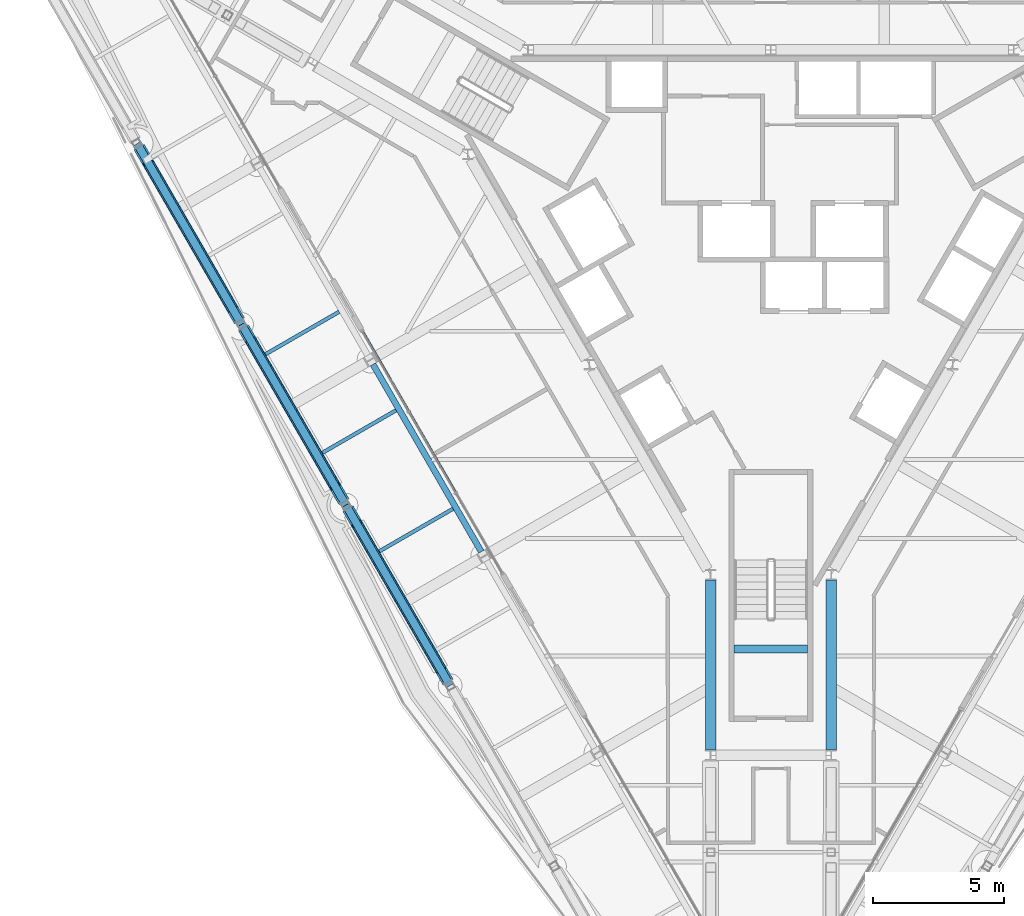
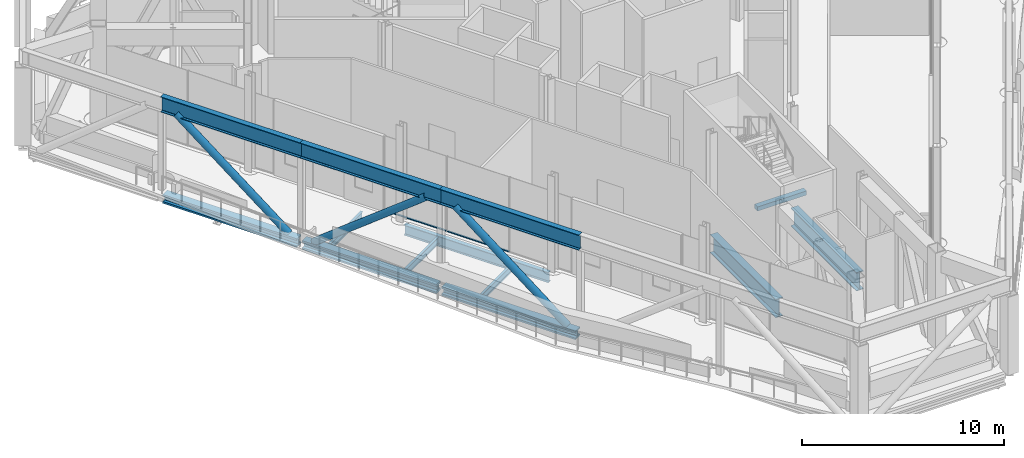
# One storey, part 6 of 24: 13 beams, 5 members, 1 element without a shape of its own.
"""IFC4 building model written with IfcOpenShell, lengths in metres."""

from ifc_helpers import new_model, si_unit, direction, frame, origin, origin_2d, place, context, subcontext, project, spatial, rectangle, hollow_circle, i_section, extrude, material, material_profile, profile_set, type_object, element, aggregate, save


model = new_model("IFC4")

# Units and contexts
model_context = context("Model", 3, precision=1e-05, world=origin(), true_north=direction((0.0, 1.0)))
body_context = subcontext(model_context, "Body", "Model", "MODEL_VIEW")
ifc_project = project(units=[si_unit("LENGTHUNIT", "METRE"), si_unit("AREAUNIT", "SQUARE_METRE"), si_unit("VOLUMEUNIT", "CUBIC_METRE"), si_unit("PLANEANGLEUNIT", "RADIAN"), si_unit("MASSUNIT", "GRAM", prefix="KILO")], contexts=[model_context])

# Site, building, storey
site_placement = place(None, origin())
site = spatial("IfcSite", under=ifc_project, at=site_placement, CompositionType="ELEMENT")
building_placement = place(site_placement, origin())
building = spatial("IfcBuilding", under=site, at=building_placement, Name="Verrane Prism Tower", CompositionType="ELEMENT")
storey_placement = place(building_placement, frame((0.0, 0.0, 200.60009765625)))
storey = spatial("IfcBuildingStorey", under=building, at=storey_placement, Name="L50", CompositionType="ELEMENT", Elevation=200.60009765625)

# Beams
ifc_material_1 = material(Name="Steel A992", Category="steel")
ifc_material_profile_1 = material_profile(ifc_material_1, i_section(OverallWidth=0.44189453125, OverallDepth=0.53076171875, WebThickness=0.06591796875, FlangeThickness=0.105712890625, FilletRadius=0.01513671875, at=origin_2d()), Name="W14x605")
ifc_profile_set_1 = profile_set([ifc_material_profile_1], Name="Steel A992")
beam_type_1 = type_object("IfcBeamType", Name="Belt truss chord W14x605", PredefinedType="BEAM", material=ifc_profile_set_1)
for number, where, z_axis, x_axis, name in (
    (1, (-24.083740234375, 4.2880859375, -0.4248046875), (0.500208494112, -0.865904996185, 0.0), (0.865904996185, 0.500208494112, 0.0), "Belt truss chord L50"),
    (2, (-20.103759765625, -2.60205078125, -0.4248046875), (0.500208494112, -0.865904996185, 0.0), (0.865904996185, 0.500208494112, 0.0), "Belt truss chord L50"),
):
    element("IfcBeam", number, at=place(storey_placement, frame(where, z_axis=z_axis, x_axis=x_axis)), inside=storey, type_object=beam_type_1, Name=name, PredefinedType="BEAM", context=body_context, shape_type="SweptSolid", body=[
        extrude(i_section(OverallWidth=0.44189453125, OverallDepth=0.53076171875, WebThickness=0.06591796875, FlangeThickness=0.105712890625, FilletRadius=0.01513671875, at=origin_2d()), origin(), (0.0, 0.0, 1.0), 7.652099609375),
    ])
beam_1_placement = place(storey_placement, frame((-16.123779296875, -9.491943359375, -0.4248046875), z_axis=(0.499793471116, -0.866144610461, 0.0), x_axis=(0.866144610461, 0.499793471116, 0.0)))
element("IfcBeam", 3, at=beam_1_placement, inside=storey, type_object=beam_type_1, Name="Belt truss chord L50", PredefinedType="BEAM", context=body_context, shape_type="SweptSolid", body=[
    extrude(i_section(OverallWidth=0.44189453125, OverallDepth=0.53076171875, WebThickness=0.06591796875, FlangeThickness=0.105712890625, FilletRadius=0.01513671875, at=origin_2d()), origin(), (0.0, 0.0, 1.0), 7.638427734375),
])
ifc_material_2 = material(Name="Steel A992", Category="steel")
ifc_material_profile_2 = material_profile(ifc_material_2, i_section(OverallWidth=0.307373046875, OverallDepth=0.927001953125, WebThickness=0.01953125, FlangeThickness=0.031982421875, FilletRadius=0.01904296875, at=origin_2d()), Name="W36x194")
ifc_profile_set_2 = profile_set([ifc_material_profile_2], Name="Steel A992")
beam_type_2 = type_object("IfcBeamType", Name="Belt truss chord W36x194", PredefinedType="BEAM", material=ifc_profile_set_2)
beam_2_placement = place(storey_placement, frame((-24.159912109375, 4.419921875, 5.176513671875), z_axis=(0.500197848917, -0.865911145522, 0.0), x_axis=(0.865911145522, 0.500197848917, 0.0)))
element("IfcBeam", 4, at=beam_2_placement, inside=storey, type_object=beam_type_2, Name="Belt truss chord L50", PredefinedType="BEAM", context=body_context, shape_type="SweptSolid", body=[
    extrude(i_section(OverallWidth=0.307373046875, OverallDepth=0.927001953125, WebThickness=0.01953125, FlangeThickness=0.031982421875, FilletRadius=0.01904296875, at=origin_2d()), origin(), (0.0, 0.0, 1.0), 7.956787109375),
])
beam_3_placement = place(storey_placement, frame((-20.179931640625, -2.469970703125, 5.176513671875), z_axis=(0.500184559484, -0.865918822092, 0.0), x_axis=(0.865918822092, 0.500184559484, 0.0)))
element("IfcBeam", 5, at=beam_3_placement, inside=storey, type_object=beam_type_2, Name="Belt truss chord L50", PredefinedType="BEAM", context=body_context, shape_type="SweptSolid", body=[
    extrude(i_section(OverallWidth=0.307373046875, OverallDepth=0.927001953125, WebThickness=0.01953125, FlangeThickness=0.031982421875, FilletRadius=0.01904296875, at=origin_2d()), origin(), (0.0, 0.0, 1.0), 7.95703125),
])
beam_4_placement = place(storey_placement, frame((-16.199951171875, -9.360107421875, 5.176513671875), z_axis=(0.499798728781, -0.866141576597, 0.0), x_axis=(0.866141576597, 0.499798728781, 0.0)))
element("IfcBeam", 6, at=beam_4_placement, inside=storey, type_object=beam_type_2, Name="Belt truss chord L50", PredefinedType="BEAM", context=body_context, shape_type="SweptSolid", body=[
    extrude(i_section(OverallWidth=0.307373046875, OverallDepth=0.927001953125, WebThickness=0.01953125, FlangeThickness=0.031982421875, FilletRadius=0.01904296875, at=origin_2d()), origin(), (0.0, 0.0, 1.0), 7.943115234375),
])

# Members
ifc_material_3 = material(Name="Steel A500 Grade C", Category="steel")
ifc_material_profile_3 = material_profile(ifc_material_3, hollow_circle(Radius=0.203125, WallThickness=0.0126953125, at=origin_2d()), Name="HSS16.000x0.500")
ifc_profile_set_3 = profile_set([ifc_material_profile_3], Name="Steel A500 Grade C")
member_type_1 = type_object("IfcMemberType", Name="Belt truss diagonal HSS16.000x0.500", PredefinedType="BRACE", material=ifc_profile_set_3)
member_1_placement = place(storey_placement, frame((-20.538818359375, -1.84912109375, -0.1591796875), z_axis=(-0.394913088803, 0.683676760173, 0.613701670107), x_axis=(-0.865920014639, -0.500182494943, 0.0)))
element("IfcMember", 7, at=member_1_placement, inside=storey, type_object=member_type_1, Name="Belt truss diagonal L50", PredefinedType="BRACE", context=body_context, shape_type="SweptSolid", body=[
    extrude(hollow_circle(Radius=0.203125, WallThickness=0.0126953125, at=origin_2d()), origin(), (0.0, 0.0, 1.0), 8.125732421875),
])
member_2_placement = place(storey_placement, frame((-19.8212890625, -3.0908203125, -0.1591796875), z_axis=(0.394904976905, -0.683692761294, 0.613689064079), x_axis=(0.865929534628, 0.500166013498, 0.0)))
element("IfcMember", 8, at=member_2_placement, inside=storey, type_object=member_type_1, Name="Belt truss diagonal L50", PredefinedType="BRACE", context=body_context, shape_type="SweptSolid", body=[
    extrude(hollow_circle(Radius=0.203125, WallThickness=0.0126953125, at=origin_2d()), origin(), (0.0, 0.0, 1.0), 8.1259765625),
])
member_3_placement = place(storey_placement, frame((-12.588134765625, -15.619384765625, -0.1591796875), z_axis=(-0.394324771858, 0.683367927917, 0.6144235098), x_axis=(-0.86614496066, -0.499792864218, 0.0)))
element("IfcMember", 9, at=member_3_placement, inside=storey, type_object=member_type_1, Name="Belt truss diagonal L50", PredefinedType="BRACE", context=body_context, shape_type="SweptSolid", body=[
    extrude(hollow_circle(Radius=0.203125, WallThickness=0.0126953125, at=origin_2d()), origin(), (0.0, 0.0, 1.0), 8.1162109375),
])

# Beams
ifc_material_4 = material(Name="Steel A992", Category="steel")
ifc_material_profile_4 = material_profile(ifc_material_4, i_section(OverallWidth=0.140380859375, OverallDepth=0.40380859375, WebThickness=0.007080078125, FlangeThickness=0.01123046875, FilletRadius=0.01025390625, at=origin_2d()), Name="W16x31")
ifc_profile_set_4 = profile_set([ifc_material_profile_4], Name="Steel A992")
beam_type_3 = type_object("IfcBeamType", Name="Floor beam W16x31", PredefinedType="BEAM", material=ifc_profile_set_4)
beam_5_placement = place(storey_placement, frame((-14.927978515625, -11.122314453125, -0.362060546875), z_axis=(0.866025149481, 0.500000440466, 0.0), x_axis=(-0.500000440466, 0.866025149481, 0.0)))
element("IfcBeam", 10, at=beam_5_placement, inside=storey, type_object=beam_type_3, Name="Floor beam L50", PredefinedType="BEAM", context=body_context, shape_type="SweptSolid", body=[
    extrude(i_section(OverallWidth=0.140380859375, OverallDepth=0.40380859375, WebThickness=0.007080078125, FlangeThickness=0.01123046875, FilletRadius=0.01025390625, at=origin_2d()), origin(), (0.0, 0.0, 1.0), 3.24365234375),
])
beam_6_placement = place(storey_placement, frame((-17.096923828125, -7.365478515625, -0.362060546875), z_axis=(0.866018751313, 0.500011522242, 0.0), x_axis=(-0.500011522242, 0.866018751313, 0.0)))
element("IfcBeam", 11, at=beam_6_placement, inside=storey, type_object=beam_type_3, Name="Floor beam L50", PredefinedType="BEAM", context=body_context, shape_type="SweptSolid", body=[
    extrude(i_section(OverallWidth=0.140380859375, OverallDepth=0.40380859375, WebThickness=0.007080078125, FlangeThickness=0.01123046875, FilletRadius=0.01025390625, at=origin_2d()), origin(), (0.0, 0.0, 1.0), 3.2412109375),
])
beam_7_placement = place(storey_placement, frame((-19.266845703125, -3.609130859375, -0.362060546875), z_axis=(0.866042624125, 0.49997017231, 0.0), x_axis=(-0.49997017231, 0.866042624125, 0.0)))
element("IfcBeam", 12, at=beam_7_placement, inside=storey, type_object=beam_type_3, Name="Floor beam L50", PredefinedType="BEAM", context=body_context, shape_type="SweptSolid", body=[
    extrude(i_section(OverallWidth=0.140380859375, OverallDepth=0.40380859375, WebThickness=0.007080078125, FlangeThickness=0.01123046875, FilletRadius=0.01025390625, at=origin_2d()), origin(), (0.0, 0.0, 1.0), 3.241943359375),
])
ifc_material_5 = material(Name="Steel A992", Category="steel")
ifc_material_profile_5 = material_profile(ifc_material_5, i_section(OverallWidth=0.23046875, OverallDepth=0.6171875, WebThickness=0.01318359375, FlangeThickness=0.022216796875, FilletRadius=0.012939453125, at=origin_2d()), Name="W24x94")
ifc_profile_set_5 = profile_set([ifc_material_profile_5], Name="Steel A992")
beam_type_4 = type_object("IfcBeamType", Name="Spandrel beam W24x94", PredefinedType="SPANDREL", material=ifc_profile_set_5)
beam_8_placement = place(storey_placement, frame((-15.169677734375, -3.99365234375, -0.46875), z_axis=(0.500511266251, -0.865730022788, 0.0), x_axis=(0.865730022788, 0.500511266251, 0.0)))
element("IfcBeam", 13, at=beam_8_placement, inside=storey, type_object=beam_type_4, Name="Spandrel beam L50", PredefinedType="SPANDREL", context=body_context, shape_type="SweptSolid", body=[
    extrude(i_section(OverallWidth=0.23046875, OverallDepth=0.6171875, WebThickness=0.01318359375, FlangeThickness=0.022216796875, FilletRadius=0.012939453125, at=origin_2d()), origin(), (0.0, 0.0, 1.0), 8.250244140625),
])
ifc_material_6 = material(Name="Concrete C40/50", Category="concrete")
ifc_material_profile_6 = material_profile(ifc_material_6, rectangle(XDim=0.300048828125, YDim=0.25, at=origin_2d()), Name="RC 300x250")
ifc_profile_set_6 = profile_set([ifc_material_profile_6], Name="Concrete C40/50")
beam_type_5 = type_object("IfcBeamType", Name="Stair landing trimmer beam 300x250 concrete C40/50", PredefinedType="BEAM", material=ifc_profile_set_6)
beam_9_placement = place(storey_placement, frame((1.39990234375, -14.85009765625, 2.574951171875), z_axis=(-1.0, 0.0, 0.0), x_axis=(0.0, -1.0, 0.0)))
element("IfcBeam", 14, at=beam_9_placement, inside=storey, type_object=beam_type_5, Name="Stair 3 landing trimmer beam", PredefinedType="BEAM", context=body_context, shape_type="SweptSolid", body=[
    extrude(rectangle(XDim=0.300048828125, YDim=0.25, at=origin_2d()), origin(), (0.0, 0.0, 1.0), 2.7998046875),
])
ifc_material_7 = material(Name="Steel A992", Category="steel")
ifc_material_profile_7 = material_profile(ifc_material_7, i_section(OverallWidth=0.40380859375, OverallDepth=1.11767578125, WebThickness=0.026123046875, FlangeThickness=0.044921875, FilletRadius=0.02001953125, at=origin_2d()), Name="W44x335")
ifc_profile_set_7 = profile_set([ifc_material_profile_7], Name="Steel A992")
beam_type_6 = type_object("IfcBeamType", Name="Transfer girder W44x335", PredefinedType="BEAM", material=ifc_profile_set_7)
for number, where, z_axis, x_axis, name in (
    (15, (-2.300048828125, -12.219482421875, -0.808837890625), (0.0, -1.0, 0.0), (1.0, 0.0, 0.0), "Transfer girder L50"),
    (16, (2.300048828125, -18.691650390625, -0.808837890625), (0.0, 1.0, 0.0), (-1.0, 0.0, 0.0), "Transfer girder L50"),
):
    element("IfcBeam", number, at=place(storey_placement, frame(where, z_axis=z_axis, x_axis=x_axis)), inside=storey, type_object=beam_type_6, Name=name, PredefinedType="BEAM", context=body_context, shape_type="SweptSolid", body=[
        extrude(i_section(OverallWidth=0.40380859375, OverallDepth=1.11767578125, WebThickness=0.026123046875, FlangeThickness=0.044921875, FilletRadius=0.02001953125, at=origin_2d()), origin(), (0.0, 0.0, 1.0), 6.47216796875),
    ])

# Curtain wall, members
ifc_material_8 = material(Name="Aluminium framed insulated glazing", Category="aluminium")
curtain_wall_type = type_object("IfcCurtainWallType", Name="Curtain wall CW-C 4200 module", PredefinedType="NOTDEFINED", material=ifc_material_8)
curtain_wall_placement = place(storey_placement, origin())
curtain_wall = element("IfcCurtainWall", 17, at=curtain_wall_placement, inside=storey, type_object=curtain_wall_type, Name="Refuge lounge glazing south-west face L50 2", PredefinedType="NOTDEFINED")
ifc_material_9 = material(Name="Aluminium alloy 6063-T6", Category="aluminium")
ifc_material_profile_8 = material_profile(ifc_material_9, rectangle(XDim=0.10009765625, YDim=0.050048828125, at=origin_2d()), Name="Transom 50x100 aluminium")
ifc_profile_set_8 = profile_set([ifc_material_profile_8], Name="Aluminium alloy 6063-T6")
member_type_2 = type_object("IfcMemberType", Name="Transom 50x100 aluminium", PredefinedType="USERDEFINED", material=ifc_profile_set_8)
member_4_placement = place(storey_placement, frame((-15.567626953125, -2.73779296875, 0.02490234375), z_axis=(0.499986001567, -0.866033485632, 0.0), x_axis=(0.866033485632, 0.499986001567, 0.0)))
member_4 = element("IfcMember", 18, at=member_4_placement, type_object=member_type_2, Name="CW50.4.2 transom 1", ObjectType="TRANSOM", PredefinedType="USERDEFINED", context=body_context, shape_type="SweptSolid", body=[
    extrude(rectangle(XDim=0.10009765625, YDim=0.050048828125, at=origin_2d()), origin(), (0.0, 0.0, 1.0), 3.50146484375),
])
member_5_placement = place(storey_placement, frame((-13.7919921875, -5.813720703125, 0.02490234375), z_axis=(0.500048052583, -0.865997658835, 0.0), x_axis=(0.865997658835, 0.500048052583, 0.0)))
member_5 = element("IfcMember", 19, at=member_5_placement, type_object=member_type_2, Name="CW50.4.2 transom 2", ObjectType="TRANSOM", PredefinedType="USERDEFINED", context=body_context, shape_type="SweptSolid", body=[
    extrude(rectangle(XDim=0.10009765625, YDim=0.050048828125, at=origin_2d()), origin(), (0.0, 0.0, 1.0), 3.526611328125),
])
aggregate(curtain_wall, [member_4, member_5])

save(model, "model.ifc")
